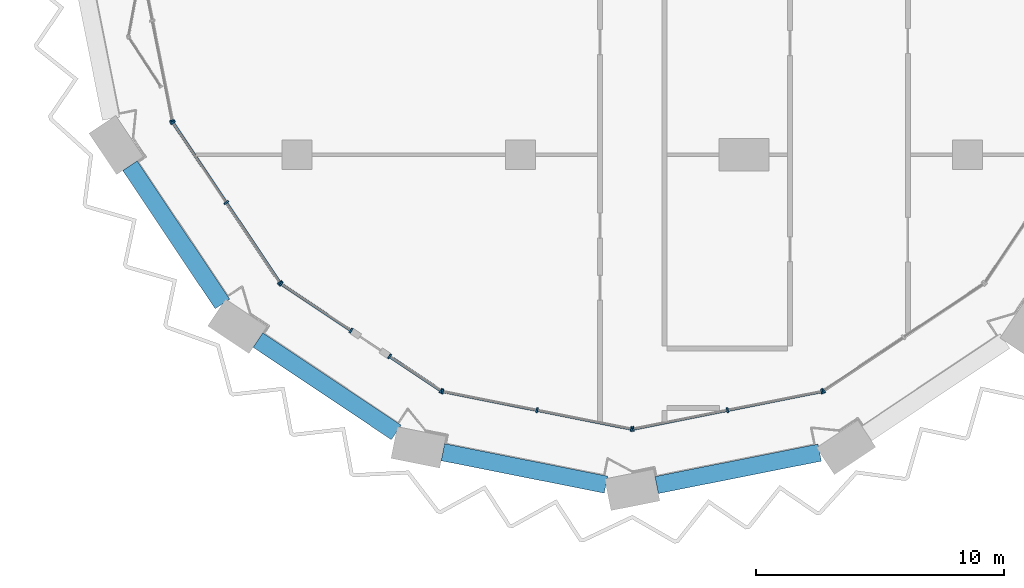
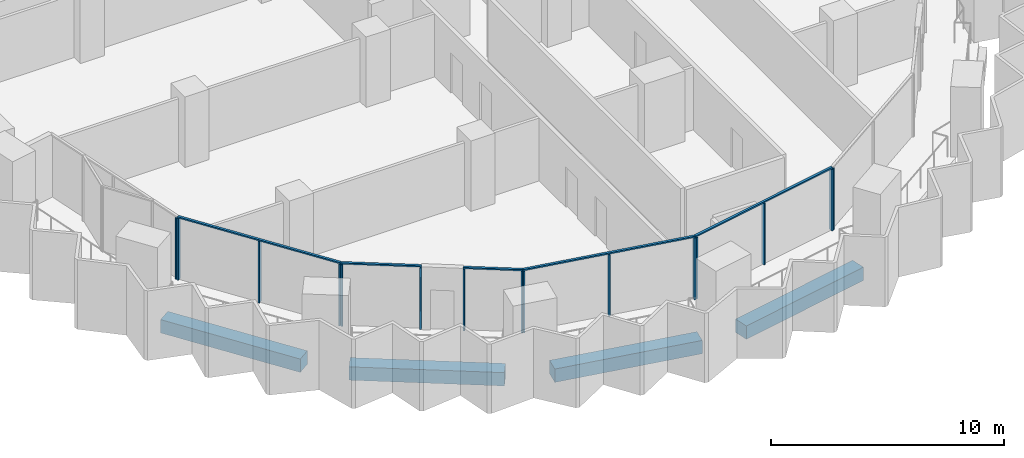
# One storey, part 2 of 23: 20 members, 4 beams, 7 elements without a shape of their own.
"""IFC4 building model written with IfcOpenShell, lengths in metres."""

from ifc_helpers import new_model, si_unit, direction, frame, origin, origin_2d, place, context, subcontext, project, spatial, rectangle, extrude, material, material_profile, profile_set, type_object, element, aggregate, save


model = new_model("IFC4")

# Units and contexts
model_context = context("Model", 3, precision=1e-05, world=origin(), true_north=direction((0.0, 1.0)))
body_context = subcontext(model_context, "Body", "Model", "MODEL_VIEW")
ifc_project = project(units=[si_unit("LENGTHUNIT", "METRE"), si_unit("AREAUNIT", "SQUARE_METRE"), si_unit("VOLUMEUNIT", "CUBIC_METRE"), si_unit("PLANEANGLEUNIT", "RADIAN"), si_unit("MASSUNIT", "GRAM", prefix="KILO")], contexts=[model_context])

# Site, building, storey
site_placement = place(None, origin())
site = spatial("IfcSite", under=ifc_project, at=site_placement, CompositionType="ELEMENT")
building_placement = place(site_placement, origin())
building = spatial("IfcBuilding", under=site, at=building_placement, Name="Hunhe Ridgeline Campus", CompositionType="ELEMENT")
storey_placement = place(building_placement, frame((0.0, 0.0, 170.800048828125)))
storey = spatial("IfcBuildingStorey", under=building, at=storey_placement, Name="L43", CompositionType="ELEMENT", Elevation=170.800048828125)

# Curtain wall, member
ifc_material_1 = material(Name="Aluminium 6063", Category="aluminium")
curtain_wall_type = type_object("IfcCurtainWallType", Name="Curtain wall CW-5", PredefinedType="NOTDEFINED", material=ifc_material_1)
curtain_wall_1_placement = place(storey_placement, origin())
curtain_wall_1 = element("IfcCurtainWall", 1, at=curtain_wall_1_placement, inside=storey, type_object=curtain_wall_type, Name="Curtain wall 01", PredefinedType="NOTDEFINED")
ifc_material_profile_1 = material_profile(ifc_material_1, rectangle(XDim=0.199951171875, YDim=0.070068359375, at=origin_2d()))
ifc_profile_set_1 = profile_set([ifc_material_profile_1], Name="Aluminium 6063")
member_type_1 = type_object("IfcMemberType", Name="CW-5 aluminium mullion", PredefinedType="MULLION", material=ifc_profile_set_1)
member_1_placement = place(storey_placement, frame((3.967529296875, 19.36083984375, 0.0), z_axis=(0.0, 0.0, 1.0), x_axis=(0.980784280831, 0.195095347137, 0.0)))
member_1 = element("IfcMember", 2, at=member_1_placement, type_object=member_type_1, Name="CW-5 mullion 3", PredefinedType="MULLION", context=body_context, shape_type="SweptSolid", body=[
    extrude(rectangle(XDim=0.199951171875, YDim=0.070068359375, at=origin_2d()), origin(), (0.0, 0.0, 1.0), 3.22998046875),
])
aggregate(curtain_wall_1, [member_1])

# Curtain wall, members
curtain_wall_2_placement = place(storey_placement, origin())
curtain_wall_2 = element("IfcCurtainWall", 3, at=curtain_wall_2_placement, inside=storey, type_object=curtain_wall_type, Name="Curtain wall 02", PredefinedType="NOTDEFINED")
member_2_placement = place(storey_placement, frame((3.993896484375, 19.29736328125, 0.0), z_axis=(0.0, 0.0, 1.0), x_axis=(0.831469584522, 0.555570274596, 0.0)))
member_2 = element("IfcMember", 4, at=member_2_placement, type_object=member_type_1, Name="CW-5 mullion 1", PredefinedType="MULLION", context=body_context, shape_type="SweptSolid", body=[
    extrude(rectangle(XDim=0.199951171875, YDim=0.070068359375, at=origin_2d()), origin(), (0.0, 0.0, 1.0), 3.22998046875),
])
member_3_placement = place(storey_placement, frame((6.147705078125, 16.07373046875, 0.0), z_axis=(0.0, 0.0, 1.0), x_axis=(0.831469584522, 0.555570274596, 0.0)))
member_3 = element("IfcMember", 5, at=member_3_placement, type_object=member_type_1, Name="CW-5 mullion 2", PredefinedType="MULLION", context=body_context, shape_type="SweptSolid", body=[
    extrude(rectangle(XDim=0.199951171875, YDim=0.070068359375, at=origin_2d()), origin(), (0.0, 0.0, 1.0), 3.22998046875),
])
member_4_placement = place(storey_placement, frame((8.3017578125, 12.850341796875, 0.0), z_axis=(0.0, 0.0, 1.0), x_axis=(0.831469584522, 0.555570274596, 0.0)))
member_4 = element("IfcMember", 6, at=member_4_placement, type_object=member_type_1, Name="CW-5 mullion 3", PredefinedType="MULLION", context=body_context, shape_type="SweptSolid", body=[
    extrude(rectangle(XDim=0.199951171875, YDim=0.070068359375, at=origin_2d()), origin(), (0.0, 0.0, 1.0), 3.22998046875),
])

curtain_wall_3_placement = place(storey_placement, origin())
curtain_wall_3 = element("IfcCurtainWall", 7, at=curtain_wall_3_placement, inside=storey, type_object=curtain_wall_type, Name="Curtain wall 03", PredefinedType="NOTDEFINED")
member_5_placement = place(storey_placement, frame((8.350341796875, 12.8017578125, 0.0), z_axis=(0.0, 0.0, 1.0), x_axis=(0.555570257501, 0.831469595944, 0.0)))
member_5 = element("IfcMember", 8, at=member_5_placement, type_object=member_type_1, Name="CW-5 mullion 1", PredefinedType="MULLION", context=body_context, shape_type="SweptSolid", body=[
    extrude(rectangle(XDim=0.199951171875, YDim=0.070068359375, at=origin_2d()), origin(), (0.0, 0.0, 1.0), 3.22998046875),
])
member_6_placement = place(storey_placement, frame((11.17041015625, 10.917236328125, 0.0), z_axis=(0.0, 0.0, 1.0), x_axis=(0.555570257501, 0.831469595944, 0.0)))
member_6 = element("IfcMember", 9, at=member_6_placement, type_object=member_type_1, Name="CW-5 mullion 2", PredefinedType="MULLION", context=body_context, shape_type="SweptSolid", body=[
    extrude(rectangle(XDim=0.199951171875, YDim=0.070068359375, at=origin_2d()), origin(), (0.0, 0.0, 1.0), 3.22998046875),
])

curtain_wall_4_placement = place(storey_placement, origin())
curtain_wall_4 = element("IfcCurtainWall", 10, at=curtain_wall_4_placement, inside=storey, type_object=curtain_wall_type, Name="Curtain wall 04", PredefinedType="NOTDEFINED")
member_7_placement = place(storey_placement, frame((12.725341796875, 9.87841796875, 0.0), z_axis=(0.0, 0.0, 1.0), x_axis=(0.555570385598, 0.831469510353, 0.0)))
member_7 = element("IfcMember", 11, at=member_7_placement, type_object=member_type_1, Name="CW-5 mullion 1", PredefinedType="MULLION", context=body_context, shape_type="SweptSolid", body=[
    extrude(rectangle(XDim=0.199951171875, YDim=0.070068359375, at=origin_2d()), origin(), (0.0, 0.0, 1.0), 3.22998046875),
])
member_8_placement = place(storey_placement, frame((14.79736328125, 8.493896484375, 0.0), z_axis=(0.0, 0.0, 1.0), x_axis=(0.555570385598, 0.831469510353, 0.0)))
member_8 = element("IfcMember", 12, at=member_8_placement, type_object=member_type_1, Name="CW-5 mullion 2", PredefinedType="MULLION", context=body_context, shape_type="SweptSolid", body=[
    extrude(rectangle(XDim=0.199951171875, YDim=0.070068359375, at=origin_2d()), origin(), (0.0, 0.0, 1.0), 3.22998046875),
])

curtain_wall_5_placement = place(storey_placement, origin())
curtain_wall_5 = element("IfcCurtainWall", 13, at=curtain_wall_5_placement, inside=storey, type_object=curtain_wall_type, Name="Curtain wall 05", PredefinedType="NOTDEFINED")
member_9_placement = place(storey_placement, frame((14.86083984375, 8.467529296875, 0.0), z_axis=(0.0, 0.0, 1.0), x_axis=(0.195090347539, 0.980785275326, 0.0)))
member_9 = element("IfcMember", 14, at=member_9_placement, type_object=member_type_1, Name="CW-5 mullion 1", PredefinedType="MULLION", context=body_context, shape_type="SweptSolid", body=[
    extrude(rectangle(XDim=0.199951171875, YDim=0.070068359375, at=origin_2d()), origin(), (0.0, 0.0, 1.0), 3.22998046875),
])
member_10_placement = place(storey_placement, frame((18.663330078125, 7.711181640625, 0.0), z_axis=(0.0, 0.0, 1.0), x_axis=(0.195090347539, 0.980785275326, 0.0)))
member_10 = element("IfcMember", 15, at=member_10_placement, type_object=member_type_1, Name="CW-5 mullion 2", PredefinedType="MULLION", context=body_context, shape_type="SweptSolid", body=[
    extrude(rectangle(XDim=0.199951171875, YDim=0.070068359375, at=origin_2d()), origin(), (0.0, 0.0, 1.0), 3.22998046875),
])
member_11_placement = place(storey_placement, frame((22.465576171875, 6.954833984375, 0.0), z_axis=(0.0, 0.0, 1.0), x_axis=(0.195090347539, 0.980785275326, 0.0)))
member_11 = element("IfcMember", 16, at=member_11_placement, type_object=member_type_1, Name="CW-5 mullion 3", PredefinedType="MULLION", context=body_context, shape_type="SweptSolid", body=[
    extrude(rectangle(XDim=0.199951171875, YDim=0.070068359375, at=origin_2d()), origin(), (0.0, 0.0, 1.0), 3.22998046875),
])

curtain_wall_6_placement = place(storey_placement, origin())
curtain_wall_6 = element("IfcCurtainWall", 17, at=curtain_wall_6_placement, inside=storey, type_object=curtain_wall_type, Name="Curtain wall 06", PredefinedType="NOTDEFINED")
member_12_placement = place(storey_placement, frame((22.534423828125, 6.954833984375, 0.0), z_axis=(0.0, 0.0, 1.0), x_axis=(-0.195090347539, 0.980785275326, 0.0)))
member_12 = element("IfcMember", 18, at=member_12_placement, type_object=member_type_1, Name="CW-5 mullion 1", PredefinedType="MULLION", context=body_context, shape_type="SweptSolid", body=[
    extrude(rectangle(XDim=0.199951171875, YDim=0.070068359375, at=origin_2d()), origin(), (0.0, 0.0, 1.0), 3.22998046875),
])
member_13_placement = place(storey_placement, frame((26.336669921875, 7.711181640625, 0.0), z_axis=(0.0, 0.0, 1.0), x_axis=(-0.195090347539, 0.980785275326, 0.0)))
member_13 = element("IfcMember", 19, at=member_13_placement, type_object=member_type_1, Name="CW-5 mullion 2", PredefinedType="MULLION", context=body_context, shape_type="SweptSolid", body=[
    extrude(rectangle(XDim=0.199951171875, YDim=0.070068359375, at=origin_2d()), origin(), (0.0, 0.0, 1.0), 3.22998046875),
])
member_14_placement = place(storey_placement, frame((30.13916015625, 8.467529296875, 0.0), z_axis=(0.0, 0.0, 1.0), x_axis=(-0.195090347539, 0.980785275326, 0.0)))
member_14 = element("IfcMember", 20, at=member_14_placement, type_object=member_type_1, Name="CW-5 mullion 3", PredefinedType="MULLION", context=body_context, shape_type="SweptSolid", body=[
    extrude(rectangle(XDim=0.199951171875, YDim=0.070068359375, at=origin_2d()), origin(), (0.0, 0.0, 1.0), 3.22998046875),
])

# Curtain wall, member
curtain_wall_7_placement = place(storey_placement, origin())
curtain_wall_7 = element("IfcCurtainWall", 21, at=curtain_wall_7_placement, inside=storey, type_object=curtain_wall_type, Name="Curtain wall 07", PredefinedType="NOTDEFINED")
member_15_placement = place(storey_placement, frame((30.20263671875, 8.493896484375, 0.0), z_axis=(0.0, 0.0, 1.0), x_axis=(-0.555570274596, 0.831469584522, 0.0)))
member_15 = element("IfcMember", 22, at=member_15_placement, type_object=member_type_1, Name="CW-5 mullion 1", PredefinedType="MULLION", context=body_context, shape_type="SweptSolid", body=[
    extrude(rectangle(XDim=0.199951171875, YDim=0.070068359375, at=origin_2d()), origin(), (0.0, 0.0, 1.0), 3.22998046875),
])
aggregate(curtain_wall_7, [member_15])

# Member
ifc_material_profile_2 = material_profile(ifc_material_1, rectangle(XDim=0.1201171875, YDim=0.070068359375, at=origin_2d()))
ifc_profile_set_2 = profile_set([ifc_material_profile_2], Name="Aluminium 6063")
member_type_2 = type_object("IfcMemberType", Name="CW-5 aluminium transom", PredefinedType="USERDEFINED", material=ifc_profile_set_2)
member_16_placement = place(storey_placement, frame((3.974365234375, 19.326416015625, 3.264892578125), z_axis=(0.5555640203, -0.831473763475, 0.0), x_axis=(0.831473763475, 0.5555640203, 0.0)))
member_16 = element("IfcMember", 23, at=member_16_placement, type_object=member_type_2, Name="CW-5 transom 1", ObjectType="TRANSOM", PredefinedType="USERDEFINED", context=body_context, shape_type="SweptSolid", body=[
    extrude(rectangle(XDim=0.1201171875, YDim=0.070068359375, at=origin_2d()), origin(), (0.0, 0.0, 1.0), 7.823974609375),
])

aggregate(curtain_wall_2, [member_16, member_2, member_3, member_4])

member_17_placement = place(storey_placement, frame((8.321044921875, 12.821044921875, 3.264892578125), z_axis=(0.831485714606, -0.555546133463, 0.0), x_axis=(0.555546133463, 0.831485714606, 0.0)))
member_17 = element("IfcMember", 24, at=member_17_placement, type_object=member_type_2, Name="CW-5 transom 1", ObjectType="TRANSOM", PredefinedType="USERDEFINED", context=body_context, shape_type="SweptSolid", body=[
    extrude(rectangle(XDim=0.1201171875, YDim=0.070068359375, at=origin_2d()), origin(), (0.0, 0.0, 1.0), 3.462158203125),
])

aggregate(curtain_wall_3, [member_17, member_5, member_6])

member_18_placement = place(storey_placement, frame((12.6962890625, 9.897705078125, 3.264892578125), z_axis=(0.831463388334, -0.555579547735, 0.0), x_axis=(0.555579547735, 0.831463388334, 0.0)))
member_18 = element("IfcMember", 25, at=member_18_placement, type_object=member_type_2, Name="CW-5 transom 1", ObjectType="TRANSOM", PredefinedType="USERDEFINED", context=body_context, shape_type="SweptSolid", body=[
    extrude(rectangle(XDim=0.1201171875, YDim=0.070068359375, at=origin_2d()), origin(), (0.0, 0.0, 1.0), 2.56201171875),
])

aggregate(curtain_wall_4, [member_18, member_7, member_8])

member_19_placement = place(storey_placement, frame((14.826416015625, 8.474365234375, 3.264892578125), z_axis=(0.980785367689, -0.195089883198, 0.0), x_axis=(0.195089883198, 0.980785367689, 0.0)))
member_19 = element("IfcMember", 26, at=member_19_placement, type_object=member_type_2, Name="CW-5 transom 1", ObjectType="TRANSOM", PredefinedType="USERDEFINED", context=body_context, shape_type="SweptSolid", body=[
    extrude(rectangle(XDim=0.1201171875, YDim=0.070068359375, at=origin_2d()), origin(), (0.0, 0.0, 1.0), 7.823974609375),
])

aggregate(curtain_wall_5, [member_19, member_9, member_10, member_11])

member_20_placement = place(storey_placement, frame((22.5, 6.947998046875, 3.264892578125), z_axis=(0.980785367689, 0.195089883198, 0.0), x_axis=(-0.195089883198, 0.980785367689, 0.0)))
member_20 = element("IfcMember", 27, at=member_20_placement, type_object=member_type_2, Name="CW-5 transom 1", ObjectType="TRANSOM", PredefinedType="USERDEFINED", context=body_context, shape_type="SweptSolid", body=[
    extrude(rectangle(XDim=0.1201171875, YDim=0.070068359375, at=origin_2d()), origin(), (0.0, 0.0, 1.0), 7.823974609375),
])

aggregate(curtain_wall_6, [member_20, member_12, member_13, member_14])

# Beams
ifc_material_2 = material(Name="Concrete C60", Category="concrete")
ifc_material_profile_3 = material_profile(ifc_material_2, rectangle(XDim=0.699951171875, YDim=0.699951171875, at=origin_2d()))
ifc_profile_set_3 = profile_set([ifc_material_profile_3], Name="Concrete C60")
beam_type = type_object("IfcBeamType", Name="RC spandrel beam 700x700 Concrete C60", PredefinedType="SPANDREL", material=ifc_profile_set_3)
for number, where, z_axis, x_axis, name in (
    (28, (2.268310546875, 17.55810546875, -0.60009765625), (0.555566447474, -0.831472141711, 0.0), (0.831472141711, 0.555566447474, 0.0), "Spandrel beam B2-2 L43"),
    (29, (7.421630859375, 10.534423828125, -0.60009765625), (0.831472141711, -0.555566447474, 0.0), (0.555566447474, 0.831472141711, 0.0), "Spandrel beam B2-3 L43"),
    (30, (14.870361328125, 6.017578125, -0.60009765625), (0.980787647999, -0.195078418929, 0.0), (0.195078418929, 0.980787647999, 0.0), "Spandrel beam B2-4 L43"),
    (31, (23.480712890625, 4.695068359375, -0.60009765625), (0.980787647999, 0.195078418929, 0.0), (-0.195078418929, 0.980787647999, 0.0), "Spandrel beam B2-5 L43"),
):
    element("IfcBeam", number, at=place(storey_placement, frame(where, z_axis=z_axis, x_axis=x_axis)), inside=storey, type_object=beam_type, Name=name, PredefinedType="SPANDREL", context=body_context, shape_type="SweptSolid", body=[
        extrude(rectangle(XDim=0.699951171875, YDim=0.699951171875, at=origin_2d()), origin(), (0.0, 0.0, 1.0), 6.69677734375),
    ])

save(model, "model.ifc")
